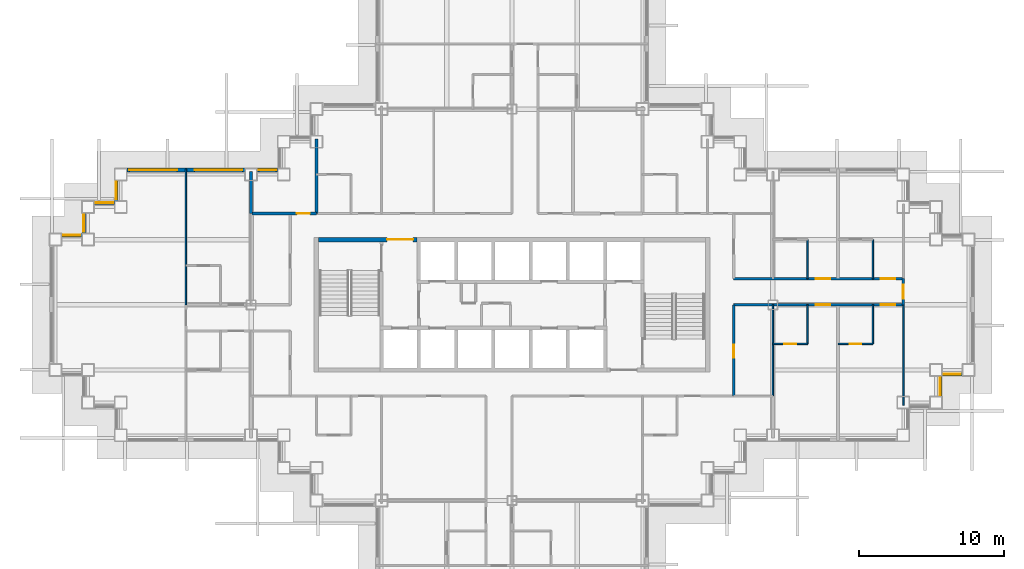
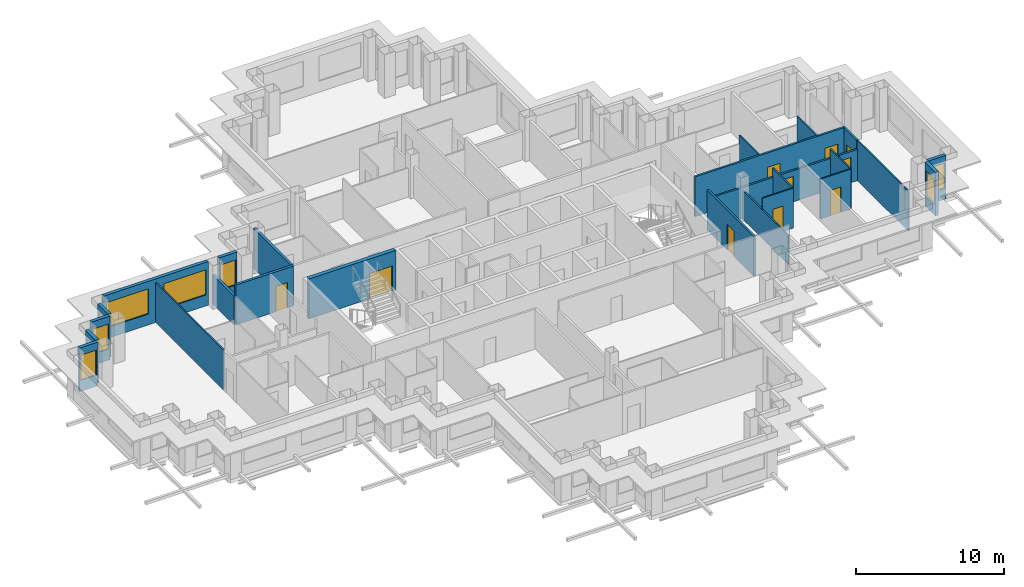
# One storey, part 8 of 17: 25 walls, 10 doors, 9 windows, 19 openings.
"""IFC4 building model written with IfcOpenShell, lengths in metres."""

from ifc_helpers import new_model, si_unit, direction, frame, frame_2d, origin, place, context, subcontext, project, spatial, rectangle, extrude, material, layer, layer_set, type_object, element, fill, save


model = new_model("IFC4")

# Units and contexts
model_context = context("Model", 3, precision=1e-05, world=origin(), true_north=direction((0.0, 1.0)))
body_context = subcontext(model_context, "Body", "Model", "MODEL_VIEW")
ifc_project = project(units=[si_unit("LENGTHUNIT", "METRE"), si_unit("AREAUNIT", "SQUARE_METRE"), si_unit("VOLUMEUNIT", "CUBIC_METRE"), si_unit("PLANEANGLEUNIT", "RADIAN"), si_unit("MASSUNIT", "GRAM", prefix="KILO")], contexts=[model_context])

# Site, building, storey
site_placement = place(None, origin())
site = spatial("IfcSite", under=ifc_project, at=site_placement, CompositionType="ELEMENT")
building_placement = place(site_placement, origin())
building = spatial("IfcBuilding", under=site, at=building_placement, Name="Caravel Reach Hotel and Residences", CompositionType="ELEMENT")
storey_placement = place(building_placement, frame((0.0, 0.0, 126.0)))
storey = spatial("IfcBuildingStorey", under=building, at=storey_placement, Name="L31", CompositionType="ELEMENT", Elevation=126.0)

# Wall, opening, door
ifc_material_1 = material(Name="Gypsum board on steel stud", Category="steel")
ifc_layer_1 = layer(ifc_material_1, 0.10009765625)
ifc_layer_set_1 = layer_set([ifc_layer_1], Name="Bathroom pod wall 100 mm")
wall_type_1 = type_object("IfcWallType", Name="Bathroom pod wall 100 mm", PredefinedType="PARTITIONING", material=ifc_layer_set_1)
wall_1_placement = place(storey_placement, frame((49.5, 24.300048828125, 0.0), z_axis=(0.0, 0.0, 1.0), x_axis=(1.0, 0.0, 0.0)))
wall_1 = element("IfcWall", 1, at=wall_1_placement, inside=storey, type_object=wall_type_1, Name="L31 wall w072", PredefinedType="PARTITIONING", context=body_context, shape_type="SweptSolid", body=[
    extrude(rectangle(XDim=2.39990234375, YDim=0.10009765625, at=frame_2d((1.199951171875, 0.0))), origin(), (0.0, 0.0, 1.0), 3.300048828125),
])
opening_1_placement = place(wall_1_placement, frame((0.800048828125, 0.0, 0.0)))
opening_1 = element("IfcOpeningElement", 2, at=opening_1_placement, cuts=wall_1, Name="Opening D31-021", PredefinedType="OPENING", context=body_context, shape_type="SweptSolid", body=[
    extrude(rectangle(XDim=0.800048828125, YDim=2.10009765625, at=frame_2d((0.39990234375, 1.050048828125))), frame((0.0, 0.06005859375, 0.0), z_axis=(0.0, -1.0, 0.0), x_axis=(1.0, 0.0, 0.0)), (0.0, 0.0, 1.0), 0.1201171875),
])
ifc_material_2 = material(Name="Timber and steel door leaf", Category="steel")
door_type_1 = type_object("IfcDoorType", Name="Bathroom door 800 x 2100", OperationType="SINGLE_SWING_LEFT", PredefinedType="DOOR", material=ifc_material_2)
door_1_placement = place(opening_1_placement, origin())
door_1 = element("IfcDoor", 3, at=door_1_placement, inside=storey, type_object=door_type_1, Name="door D31-021", OperationType="SINGLE_SWING_RIGHT", OverallHeight=2.10009765625, OverallWidth=0.800048828125, PredefinedType="DOOR", context=body_context, shape_type="SweptSolid", body=[
    extrude(rectangle(XDim=0.800048828125, YDim=2.10009765625, at=frame_2d((0.39990234375, 1.050048828125))), frame((0.0, 0.02490234375, 0.0), z_axis=(0.0, -1.0, 0.0), x_axis=(1.0, 0.0, 0.0)), (0.0, 0.0, 1.0), 0.050048828125),
])
fill(opening_1, door_1)

wall_2_placement = place(storey_placement, frame((54.0, 24.300048828125, 0.0), z_axis=(0.0, 0.0, 1.0), x_axis=(1.0, 0.0, 0.0)))
wall_2 = element("IfcWall", 4, at=wall_2_placement, inside=storey, type_object=wall_type_1, Name="L31 wall w073", PredefinedType="PARTITIONING", context=body_context, shape_type="SweptSolid", body=[
    extrude(rectangle(XDim=2.39990234375, YDim=0.10009765625, at=frame_2d((1.199951171875, 0.0))), origin(), (0.0, 0.0, 1.0), 3.300048828125),
])
opening_2_placement = place(wall_2_placement, frame((0.800048828125, 0.0, 0.0)))
opening_2 = element("IfcOpeningElement", 5, at=opening_2_placement, cuts=wall_2, Name="Opening D31-023", PredefinedType="OPENING", context=body_context, shape_type="SweptSolid", body=[
    extrude(rectangle(XDim=0.800048828125, YDim=2.10009765625, at=frame_2d((0.39990234375, 1.050048828125))), frame((0.0, 0.06005859375, 0.0), z_axis=(0.0, -1.0, 0.0), x_axis=(1.0, 0.0, 0.0)), (0.0, 0.0, 1.0), 0.1201171875),
])
door_2_placement = place(opening_2_placement, origin())
door_2 = element("IfcDoor", 6, at=door_2_placement, inside=storey, type_object=door_type_1, Name="door D31-023", OperationType="SINGLE_SWING_LEFT", OverallHeight=2.10009765625, OverallWidth=0.800048828125, PredefinedType="DOOR", context=body_context, shape_type="SweptSolid", body=[
    extrude(rectangle(XDim=0.800048828125, YDim=2.10009765625, at=frame_2d((0.39990234375, 1.050048828125))), frame((0.0, 0.02490234375, 0.0), z_axis=(0.0, -1.0, 0.0), x_axis=(1.0, 0.0, 0.0)), (0.0, 0.0, 1.0), 0.050048828125),
])
fill(opening_2, door_2)

# Walls
for number, where, z_axis, x_axis, name in (
    (7, (51.89990234375, 28.800048828125, 0.0), (0.0, 0.0, 1.0), (0.0, 1.0, 0.0), "L31 wall w092"),
    (8, (51.89990234375, 24.300048828125, 0.0), (0.0, 0.0, 1.0), (0.0, 1.0, 0.0), "L31 wall w093"),
    (9, (56.39990234375, 28.800048828125, 0.0), (0.0, 0.0, 1.0), (0.0, 1.0, 0.0), "L31 wall w094"),
    (10, (56.39990234375, 24.300048828125, 0.0), (0.0, 0.0, 1.0), (0.0, 1.0, 0.0), "L31 wall w095"),
):
    element("IfcWall", number, at=place(storey_placement, frame(where, z_axis=z_axis, x_axis=x_axis)), inside=storey, type_object=wall_type_1, Name=name, PredefinedType="PARTITIONING", context=body_context, shape_type="SweptSolid", body=[
        extrude(rectangle(XDim=2.699951171875, YDim=0.10009765625, at=frame_2d((1.35009765625, 0.0))), origin(), (0.0, 0.0, 1.0), 3.300048828125),
    ])

# Wall, opening, door
ifc_material_3 = material(Name="Autoclaved aerated block wall")
ifc_layer_2 = layer(ifc_material_3, 0.199951171875)
ifc_layer_set_2 = layer_set([ifc_layer_2], Name="Compartment wall 200 mm EI 120")
wall_type_2 = type_object("IfcWallType", Name="Compartment wall 200 mm EI 120", PredefinedType="PARTITIONING", material=ifc_layer_set_2)
wall_3_placement = place(storey_placement, frame((13.5, 33.300048828125, 0.0), z_axis=(0.0, 0.0, 1.0), x_axis=(1.0, 0.0, 0.0)))
wall_3 = element("IfcWall", 11, at=wall_3_placement, inside=storey, type_object=wall_type_2, Name="L31 wall w098", PredefinedType="PARTITIONING", context=body_context, shape_type="SweptSolid", body=[
    extrude(rectangle(XDim=4.5, YDim=0.199951171875, at=frame_2d((2.25, 0.0))), origin(), (0.0, 0.0, 1.0), 3.300048828125),
])
opening_3_placement = place(wall_3_placement, frame((3.14990234375, 0.0, 0.0)))
opening_3 = element("IfcOpeningElement", 12, at=opening_3_placement, cuts=wall_3, Name="Opening D31-042", PredefinedType="OPENING", context=body_context, shape_type="SweptSolid", body=[
    extrude(rectangle(XDim=0.89990234375, YDim=2.10009765625, at=frame_2d((0.449951171875, 1.050048828125))), frame((0.0, 0.10986328125, 0.0), z_axis=(0.0, -1.0, 0.0), x_axis=(1.0, 0.0, 0.0)), (0.0, 0.0, 1.0), 0.219970703125),
])
ifc_material_4 = material(Name="Steel fire door leaf", Category="steel")
door_type_2 = type_object("IfcDoorType", Name="Riser door 900 x 2100 EI 60", OperationType="SINGLE_SWING_LEFT", PredefinedType="DOOR", material=ifc_material_4)
door_3_placement = place(opening_3_placement, origin())
door_3 = element("IfcDoor", 13, at=door_3_placement, inside=storey, type_object=door_type_2, Name="door D31-042", OperationType="SINGLE_SWING_RIGHT", OverallHeight=2.10009765625, OverallWidth=0.89990234375, PredefinedType="DOOR", context=body_context, shape_type="SweptSolid", body=[
    extrude(rectangle(XDim=0.89990234375, YDim=2.10009765625, at=frame_2d((0.449951171875, 1.050048828125))), frame((0.0, 0.02490234375, 0.0), z_axis=(0.0, -1.0, 0.0), x_axis=(1.0, 0.0, 0.0)), (0.0, 0.0, 1.0), 0.050048828125),
])
fill(opening_3, door_3)

# Walls
wall_4_placement = place(storey_placement, frame((13.5, 33.300048828125, 0.0), z_axis=(0.0, 0.0, 1.0), x_axis=(0.0, 1.0, 0.0)))
element("IfcWall", 14, at=wall_4_placement, inside=storey, type_object=wall_type_2, Name="L31 wall w100", PredefinedType="PARTITIONING", context=body_context, shape_type="SweptSolid", body=[
    extrude(rectangle(XDim=2.889892578125, YDim=0.199951171875, at=frame_2d((1.44482421875, 0.0))), origin(), (0.0, 0.0, 1.0), 2.3798828125),
])
wall_5_placement = place(storey_placement, frame((18.0, 33.300048828125, 0.0), z_axis=(0.0, 0.0, 1.0), x_axis=(0.0, 1.0, 0.0)))
element("IfcWall", 15, at=wall_5_placement, inside=storey, type_object=wall_type_2, Name="L31 wall w101", PredefinedType="PARTITIONING", context=body_context, shape_type="SweptSolid", body=[
    extrude(rectangle(XDim=5.139892578125, YDim=0.199951171875, at=frame_2d((2.56982421875, 0.0))), origin(), (0.0, 0.0, 1.0), 3.300048828125),
])

# Wall, opening, door
ifc_material_5 = material(Name="Concrete C60", Category="concrete")
ifc_layer_3 = layer(ifc_material_5, 0.300048828125)
ifc_layer_set_3 = layer_set([ifc_layer_3], Name="Core wall 300 mm EI 120")
wall_type_3 = type_object("IfcWallType", Name="Core wall 300 mm EI 120", PredefinedType="SHEAR", material=ifc_layer_set_3)
wall_6_placement = place(storey_placement, frame((18.14990234375, 31.5, 0.0), z_axis=(0.0, 0.0, 1.0), x_axis=(1.0, 0.0, 0.0)))
wall_6 = element("IfcWall", 16, at=wall_6_placement, inside=storey, type_object=wall_type_3, Name="L31 core wall N1", PredefinedType="SHEAR", context=body_context, shape_type="SweptSolid", body=[
    extrude(rectangle(XDim=6.796630859375, YDim=0.300048828125, at=frame_2d((3.3984375, 0.0))), origin(), (0.0, 0.0, 1.0), 3.300048828125),
])
opening_4_placement = place(wall_6_placement, frame((4.735595703125, 0.0, 0.0)))
opening_4 = element("IfcOpeningElement", 17, at=opening_4_placement, cuts=wall_6, Name="Opening D31-014", PredefinedType="OPENING", context=body_context, shape_type="SweptSolid", body=[
    extrude(rectangle(XDim=1.800048828125, YDim=2.10009765625, at=frame_2d((0.89990234375, 1.050048828125))), frame((0.0, 0.159912109375, 0.0), z_axis=(0.0, -1.0, 0.0), x_axis=(1.0, 0.0, 0.0)), (0.0, 0.0, 1.0), 0.320068359375),
])
ifc_material_6 = material(Name="Steel fire door leaf", Category="steel")
door_type_3 = type_object("IfcDoorType", Name="Fire lobby door pair 1800 x 2100 EI 90", OperationType="DOUBLE_DOOR_SINGLE_SWING", PredefinedType="DOOR", material=ifc_material_6)
door_4_placement = place(opening_4_placement, origin())
door_4 = element("IfcDoor", 18, at=door_4_placement, inside=storey, type_object=door_type_3, Name="lobby N door pair to corridor", OperationType="DOUBLE_DOOR_SINGLE_SWING", OverallHeight=2.10009765625, OverallWidth=1.800048828125, PredefinedType="DOOR", context=body_context, shape_type="SweptSolid", body=[
    extrude(rectangle(XDim=1.800048828125, YDim=2.10009765625, at=frame_2d((0.89990234375, 1.050048828125))), frame((0.0, 0.02490234375, 0.0), z_axis=(0.0, -1.0, 0.0), x_axis=(1.0, 0.0, 0.0)), (0.0, 0.0, 1.0), 0.050048828125),
])
fill(opening_4, door_4)

# Wall, openings, doors
ifc_material_7 = material(Name="Gypsum board on steel stud, fire-rated", Category="steel")
ifc_layer_4 = layer(ifc_material_7, 0.14990234375)
ifc_layer_set_4 = layer_set([ifc_layer_4], Name="Corridor wall 150 mm EI 60")
wall_type_4 = type_object("IfcWallType", Name="Corridor wall 150 mm EI 60", PredefinedType="PARTITIONING", material=ifc_layer_set_4)
wall_7_placement = place(storey_placement, frame((46.800048828125, 27.0, 0.0), z_axis=(0.0, 0.0, 1.0), x_axis=(1.0, 0.0, 0.0)))
wall_7 = element("IfcWall", 19, at=wall_7_placement, inside=storey, type_object=wall_type_4, Name="L31 wall w010", PredefinedType="PARTITIONING", context=body_context, shape_type="SweptSolid", body=[
    extrude(rectangle(XDim=11.699951171875, YDim=0.14990234375, at=frame_2d((5.85009765625, 0.0))), origin(), (0.0, 0.0, 1.0), 2.580078125),
])
opening_5_placement = place(wall_7_placement, frame((5.64990234375, 0.0, 0.0)))
opening_5 = element("IfcOpeningElement", 20, at=opening_5_placement, cuts=wall_7, Name="Opening D31-020", PredefinedType="OPENING", context=body_context, shape_type="SweptSolid", body=[
    extrude(rectangle(XDim=1.0, YDim=2.10009765625, at=frame_2d((0.5, 1.050048828125))), frame((0.0, 0.0849609375, 0.0), z_axis=(0.0, -1.0, 0.0), x_axis=(1.0, 0.0, 0.0)), (0.0, 0.0, 1.0), 0.169921875),
])
opening_6_placement = place(wall_7_placement, frame((10.14990234375, 0.0, 0.0)))
opening_6 = element("IfcOpeningElement", 21, at=opening_6_placement, cuts=wall_7, Name="Opening D31-022", PredefinedType="OPENING", context=body_context, shape_type="SweptSolid", body=[
    extrude(rectangle(XDim=1.0, YDim=2.10009765625, at=frame_2d((0.5, 1.050048828125))), frame((0.0, 0.0849609375, 0.0), z_axis=(0.0, -1.0, 0.0), x_axis=(1.0, 0.0, 0.0)), (0.0, 0.0, 1.0), 0.169921875),
])
ifc_material_8 = material(Name="Steel fire door leaf", Category="steel")
door_type_4 = type_object("IfcDoorType", Name="Guest room door 1000 x 2100 EI 30", OperationType="SINGLE_SWING_LEFT", PredefinedType="DOOR", material=ifc_material_8)
door_5_placement = place(opening_5_placement, origin())
door_5 = element("IfcDoor", 22, at=door_5_placement, inside=storey, type_object=door_type_4, Name="door D31-020", OperationType="SINGLE_SWING_RIGHT", OverallHeight=2.10009765625, OverallWidth=1.0, PredefinedType="DOOR", context=body_context, shape_type="SweptSolid", body=[
    extrude(rectangle(XDim=1.0, YDim=2.10009765625, at=frame_2d((0.5, 1.050048828125))), frame((0.0, 0.02490234375, 0.0), z_axis=(0.0, -1.0, 0.0), x_axis=(1.0, 0.0, 0.0)), (0.0, 0.0, 1.0), 0.050048828125),
])
fill(opening_5, door_5)
door_6_placement = place(opening_6_placement, origin())
door_6 = element("IfcDoor", 23, at=door_6_placement, inside=storey, type_object=door_type_4, Name="door D31-022", OperationType="SINGLE_SWING_RIGHT", OverallHeight=2.10009765625, OverallWidth=1.0, PredefinedType="DOOR", context=body_context, shape_type="SweptSolid", body=[
    extrude(rectangle(XDim=1.0, YDim=2.10009765625, at=frame_2d((0.5, 1.050048828125))), frame((0.0, 0.02490234375, 0.0), z_axis=(0.0, -1.0, 0.0), x_axis=(1.0, 0.0, 0.0)), (0.0, 0.0, 1.0), 0.050048828125),
])
fill(opening_6, door_6)

wall_8_placement = place(storey_placement, frame((46.800048828125, 28.800048828125, 0.0), z_axis=(0.0, 0.0, 1.0), x_axis=(1.0, 0.0, 0.0)))
wall_8 = element("IfcWall", 24, at=wall_8_placement, inside=storey, type_object=wall_type_4, Name="L31 wall w014", PredefinedType="PARTITIONING", context=body_context, shape_type="SweptSolid", body=[
    extrude(rectangle(XDim=11.699951171875, YDim=0.14990234375, at=frame_2d((5.85009765625, 0.0))), origin(), (0.0, 0.0, 1.0), 3.300048828125),
])
opening_7_placement = place(wall_8_placement, frame((5.64990234375, 0.0, 0.0)))
opening_7 = element("IfcOpeningElement", 25, at=opening_7_placement, cuts=wall_8, Name="Opening D31-024", PredefinedType="OPENING", context=body_context, shape_type="SweptSolid", body=[
    extrude(rectangle(XDim=1.0, YDim=2.10009765625, at=frame_2d((0.5, 1.050048828125))), frame((0.0, 0.0849609375, 0.0), z_axis=(0.0, -1.0, 0.0), x_axis=(1.0, 0.0, 0.0)), (0.0, 0.0, 1.0), 0.169921875),
])
opening_8_placement = place(wall_8_placement, frame((10.14990234375, 0.0, 0.0)))
opening_8 = element("IfcOpeningElement", 26, at=opening_8_placement, cuts=wall_8, Name="Opening D31-026", PredefinedType="OPENING", context=body_context, shape_type="SweptSolid", body=[
    extrude(rectangle(XDim=1.0, YDim=2.10009765625, at=frame_2d((0.5, 1.050048828125))), frame((0.0, 0.0849609375, 0.0), z_axis=(0.0, -1.0, 0.0), x_axis=(1.0, 0.0, 0.0)), (0.0, 0.0, 1.0), 0.169921875),
])
door_7_placement = place(opening_7_placement, origin())
door_7 = element("IfcDoor", 27, at=door_7_placement, inside=storey, type_object=door_type_4, Name="door D31-024", OperationType="SINGLE_SWING_RIGHT", OverallHeight=2.10009765625, OverallWidth=1.0, PredefinedType="DOOR", context=body_context, shape_type="SweptSolid", body=[
    extrude(rectangle(XDim=1.0, YDim=2.10009765625, at=frame_2d((0.5, 1.050048828125))), frame((0.0, 0.02490234375, 0.0), z_axis=(0.0, -1.0, 0.0), x_axis=(1.0, 0.0, 0.0)), (0.0, 0.0, 1.0), 0.050048828125),
])
fill(opening_7, door_7)
door_8_placement = place(opening_8_placement, origin())
door_8 = element("IfcDoor", 28, at=door_8_placement, inside=storey, type_object=door_type_4, Name="door D31-026", OperationType="SINGLE_SWING_RIGHT", OverallHeight=2.10009765625, OverallWidth=1.0, PredefinedType="DOOR", context=body_context, shape_type="SweptSolid", body=[
    extrude(rectangle(XDim=1.0, YDim=2.10009765625, at=frame_2d((0.5, 1.050048828125))), frame((0.0, 0.02490234375, 0.0), z_axis=(0.0, -1.0, 0.0), x_axis=(1.0, 0.0, 0.0)), (0.0, 0.0, 1.0), 0.050048828125),
])
fill(opening_8, door_8)

# Wall, opening, door
wall_9_placement = place(storey_placement, frame((46.800048828125, 20.699951171875, 0.0), z_axis=(0.0, 0.0, 1.0), x_axis=(0.0, 1.0, 0.0)))
wall_9 = element("IfcWall", 29, at=wall_9_placement, inside=storey, type_object=wall_type_4, Name="L31 wall w034", PredefinedType="PARTITIONING", context=body_context, shape_type="SweptSolid", body=[
    extrude(rectangle(XDim=6.300048828125, YDim=0.14990234375, at=frame_2d((3.14990234375, 0.0))), origin(), (0.0, 0.0, 1.0), 3.300048828125),
])
opening_9_placement = place(wall_9_placement, frame((2.64990234375, 0.0, 0.0)))
opening_9 = element("IfcOpeningElement", 30, at=opening_9_placement, cuts=wall_9, Name="Opening D31-058", PredefinedType="OPENING", context=body_context, shape_type="SweptSolid", body=[
    extrude(rectangle(XDim=0.89990234375, YDim=2.10009765625, at=frame_2d((0.449951171875, 1.050048828125))), frame((0.0, 0.0849609375, 0.0), z_axis=(0.0, -1.0, 0.0), x_axis=(1.0, 0.0, 0.0)), (0.0, 0.0, 1.0), 0.169921875),
])
ifc_material_9 = material(Name="Timber and steel door leaf", Category="steel")
door_type_5 = type_object("IfcDoorType", Name="Door 900 x 2100 timber", OperationType="SINGLE_SWING_LEFT", PredefinedType="DOOR", material=ifc_material_9)
door_9_placement = place(opening_9_placement, origin())
door_9 = element("IfcDoor", 31, at=door_9_placement, inside=storey, type_object=door_type_5, Name="door D31-058", OperationType="SINGLE_SWING_RIGHT", OverallHeight=2.10009765625, OverallWidth=0.89990234375, PredefinedType="DOOR", context=body_context, shape_type="SweptSolid", body=[
    extrude(rectangle(XDim=0.89990234375, YDim=2.10009765625, at=frame_2d((0.449951171875, 1.050048828125))), frame((0.0, 0.02490234375, 0.0), z_axis=(0.0, -1.0, 0.0), x_axis=(1.0, 0.0, 0.0)), (0.0, 0.0, 1.0), 0.050048828125),
])
fill(opening_9, door_9)

wall_10_placement = place(storey_placement, frame((58.5, 27.0, 0.0), z_axis=(0.0, 0.0, 1.0), x_axis=(0.0, 1.0, 0.0)))
wall_10 = element("IfcWall", 32, at=wall_10_placement, inside=storey, type_object=wall_type_4, Name="L31 wall w035", PredefinedType="PARTITIONING", context=body_context, shape_type="SweptSolid", body=[
    extrude(rectangle(XDim=1.800048828125, YDim=0.14990234375, at=frame_2d((0.89990234375, 0.0))), origin(), (0.0, 0.0, 1.0), 3.300048828125),
])
opening_10_placement = place(wall_10_placement, frame((0.39990234375, 0.0, 0.0)))
opening_10 = element("IfcOpeningElement", 33, at=opening_10_placement, cuts=wall_10, Name="Opening D31-037", PredefinedType="OPENING", context=body_context, shape_type="SweptSolid", body=[
    extrude(rectangle(XDim=1.0, YDim=2.10009765625, at=frame_2d((0.5, 1.050048828125))), frame((0.0, 0.0849609375, 0.0), z_axis=(0.0, -1.0, 0.0), x_axis=(1.0, 0.0, 0.0)), (0.0, 0.0, 1.0), 0.169921875),
])
door_10_placement = place(opening_10_placement, origin())
door_10 = element("IfcDoor", 34, at=door_10_placement, inside=storey, type_object=door_type_4, Name="door D31-037", OperationType="SINGLE_SWING_RIGHT", OverallHeight=2.10009765625, OverallWidth=1.0, PredefinedType="DOOR", context=body_context, shape_type="SweptSolid", body=[
    extrude(rectangle(XDim=1.0, YDim=2.10009765625, at=frame_2d((0.5, 1.050048828125))), frame((0.0, 0.02490234375, 0.0), z_axis=(0.0, -1.0, 0.0), x_axis=(1.0, 0.0, 0.0)), (0.0, 0.0, 1.0), 0.050048828125),
])
fill(opening_10, door_10)

# Wall, opening, window
ifc_material_10 = material(Name="Insulated rainscreen wall, aluminium cladding", Category="aluminium")
ifc_layer_5 = layer(ifc_material_10, 0.25)
ifc_layer_set_5 = layer_set([ifc_layer_5], Name="EW1 Tower rainscreen wall")
wall_type_5 = type_object("IfcWallType", Name="EW1 Tower rainscreen wall", PredefinedType="SOLIDWALL", material=ifc_layer_set_5)
wall_11_placement = place(storey_placement, frame((61.050048828125, 20.675048828125, 0.0), z_axis=(0.0, 0.0, 1.0), x_axis=(0.0, 1.0, 0.0)))
wall_11 = element("IfcWall", 35, at=wall_11_placement, inside=storey, type_object=wall_type_5, Name="External wall L31 E18.1", PredefinedType="SOLIDWALL", context=body_context, shape_type="SweptSolid", body=[
    extrude(rectangle(XDim=1.39990234375, YDim=0.25, at=frame_2d((0.699951171875, 0.0))), origin(), (0.0, 0.0, 1.0), 3.60009765625),
])
opening_11_placement = place(wall_11_placement, frame((0.10009765625, 0.0, 0.89990234375)))
opening_11 = element("IfcOpeningElement", 36, at=opening_11_placement, cuts=wall_11, Name="Opening WN9", PredefinedType="OPENING", context=body_context, shape_type="SweptSolid", body=[
    extrude(rectangle(XDim=1.199951171875, YDim=2.080078125, at=frame_2d((0.60009765625, 1.0400390625))), frame((0.0, 0.135009765625, 0.0), z_axis=(0.0, -1.0, 0.0), x_axis=(1.0, 0.0, 0.0)), (0.0, 0.0, 1.0), 0.27001953125),
])
ifc_material_11 = material(Name="Dark low-e glazing in black aluminium frame", Category="aluminium")
window_type_1 = type_object("IfcWindowType", Name="Hotel suite corner window 1200 x 2080", PartitioningType="SINGLE_PANEL", PredefinedType="WINDOW", material=ifc_material_11)
window_1_placement = place(opening_11_placement, origin())
window_1 = element("IfcWindow", 37, at=window_1_placement, inside=storey, type_object=window_type_1, Name="Window L31 E18.1.1", OverallHeight=2.080078125, OverallWidth=1.199951171875, PartitioningType="SINGLE_PANEL", PredefinedType="WINDOW", context=body_context, shape_type="SweptSolid", body=[
    extrude(rectangle(XDim=1.199951171875, YDim=2.080078125, at=frame_2d((0.60009765625, 1.0400390625))), frame((0.0, 0.030029296875, 0.0), z_axis=(0.0, -1.0, 0.0), x_axis=(1.0, 0.0, 0.0)), (0.0, 0.0, 1.0), 0.06005859375),
])
fill(opening_11, window_1)

wall_12_placement = place(storey_placement, frame((61.175048828125, 22.199951171875, 0.0), z_axis=(0.0, 0.0, 1.0), x_axis=(1.0, 0.0, 0.0)))
wall_12 = element("IfcWall", 38, at=wall_12_placement, inside=storey, type_object=wall_type_5, Name="External wall L31 S19.1", PredefinedType="SOLIDWALL", context=body_context, shape_type="SweptSolid", body=[
    extrude(rectangle(XDim=1.39990234375, YDim=0.25, at=frame_2d((0.699951171875, 0.0))), origin(), (0.0, 0.0, 1.0), 3.60009765625),
])
opening_12_placement = place(wall_12_placement, frame((0.10009765625, 0.0, 0.89990234375)))
opening_12 = element("IfcOpeningElement", 39, at=opening_12_placement, cuts=wall_12, Name="Opening WN9", PredefinedType="OPENING", context=body_context, shape_type="SweptSolid", body=[
    extrude(rectangle(XDim=1.199951171875, YDim=2.080078125, at=frame_2d((0.60009765625, 1.0400390625))), frame((0.0, 0.135009765625, 0.0), z_axis=(0.0, -1.0, 0.0), x_axis=(1.0, 0.0, 0.0)), (0.0, 0.0, 1.0), 0.27001953125),
])
window_2_placement = place(opening_12_placement, origin())
window_2 = element("IfcWindow", 40, at=window_2_placement, inside=storey, type_object=window_type_1, Name="Window L31 S19.1.1", OverallHeight=2.080078125, OverallWidth=1.199951171875, PartitioningType="SINGLE_PANEL", PredefinedType="WINDOW", context=body_context, shape_type="SweptSolid", body=[
    extrude(rectangle(XDim=1.199951171875, YDim=2.080078125, at=frame_2d((0.60009765625, 1.0400390625))), frame((0.0, 0.030029296875, 0.0), z_axis=(0.0, -1.0, 0.0), x_axis=(1.0, 0.0, 0.0)), (0.0, 0.0, 1.0), 0.06005859375),
])
fill(opening_12, window_2)

wall_13_placement = place(storey_placement, frame((15.324951171875, 36.300048828125, 0.0), z_axis=(0.0, 0.0, 1.0), x_axis=(-1.0, 0.0, 0.0)))
wall_13 = element("IfcWall", 41, at=wall_13_placement, inside=storey, type_object=wall_type_5, Name="External wall L31 N45.1", PredefinedType="SOLIDWALL", context=body_context, shape_type="SweptSolid", body=[
    extrude(rectangle(XDim=1.39990234375, YDim=0.25, at=frame_2d((0.699951171875, 0.0))), origin(), (0.0, 0.0, 1.0), 3.60009765625),
])
opening_13_placement = place(wall_13_placement, frame((0.10009765625, 0.0, 0.89990234375)))
opening_13 = element("IfcOpeningElement", 42, at=opening_13_placement, cuts=wall_13, Name="Opening WN9", PredefinedType="OPENING", context=body_context, shape_type="SweptSolid", body=[
    extrude(rectangle(XDim=1.199951171875, YDim=2.080078125, at=frame_2d((0.60009765625, 1.0400390625))), frame((0.0, 0.135009765625, 0.0), z_axis=(0.0, -1.0, 0.0), x_axis=(1.0, 0.0, 0.0)), (0.0, 0.0, 1.0), 0.27001953125),
])
window_3_placement = place(opening_13_placement, origin())
window_3 = element("IfcWindow", 43, at=window_3_placement, inside=storey, type_object=window_type_1, Name="Window L31 N45.1.1", OverallHeight=2.080078125, OverallWidth=1.199951171875, PartitioningType="SINGLE_PANEL", PredefinedType="WINDOW", context=body_context, shape_type="SweptSolid", body=[
    extrude(rectangle(XDim=1.199951171875, YDim=2.080078125, at=frame_2d((0.60009765625, 1.0400390625))), frame((0.0, 0.030029296875, 0.0), z_axis=(0.0, -1.0, 0.0), x_axis=(1.0, 0.0, 0.0)), (0.0, 0.0, 1.0), 0.06005859375),
])
fill(opening_13, window_3)

# Wall, openings, windows
wall_14_placement = place(storey_placement, frame((13.074951171875, 36.300048828125, 0.0), z_axis=(0.0, 0.0, 1.0), x_axis=(-1.0, 0.0, 0.0)))
wall_14 = element("IfcWall", 44, at=wall_14_placement, inside=storey, type_object=wall_type_5, Name="External wall L31 N45.2", PredefinedType="SOLIDWALL", context=body_context, shape_type="SweptSolid", body=[
    extrude(rectangle(XDim=8.14990234375, YDim=0.25, at=frame_2d((4.074951171875, 0.0))), origin(), (0.0, 0.0, 1.0), 3.60009765625),
])
opening_14_placement = place(wall_14_placement, frame((0.175048828125, 0.0, 0.89990234375)))
opening_14 = element("IfcOpeningElement", 45, at=opening_14_placement, cuts=wall_14, Name="Opening WN4", PredefinedType="OPENING", context=body_context, shape_type="SweptSolid", body=[
    extrude(rectangle(XDim=3.300048828125, YDim=2.080078125, at=frame_2d((1.64990234375, 1.0400390625))), frame((0.0, 0.135009765625, 0.0), z_axis=(0.0, -1.0, 0.0), x_axis=(1.0, 0.0, 0.0)), (0.0, 0.0, 1.0), 0.27001953125),
])
opening_15_placement = place(wall_14_placement, frame((4.675048828125, 0.0, 0.89990234375)))
opening_15 = element("IfcOpeningElement", 46, at=opening_15_placement, cuts=wall_14, Name="Opening WN4", PredefinedType="OPENING", context=body_context, shape_type="SweptSolid", body=[
    extrude(rectangle(XDim=3.300048828125, YDim=2.080078125, at=frame_2d((1.64990234375, 1.0400390625))), frame((0.0, 0.135009765625, 0.0), z_axis=(0.0, -1.0, 0.0), x_axis=(1.0, 0.0, 0.0)), (0.0, 0.0, 1.0), 0.27001953125),
])
ifc_material_12 = material(Name="Dark low-e glazing in black aluminium frame", Category="aluminium")
window_type_2 = type_object("IfcWindowType", Name="Hotel guest room window 3300 x 2080", PartitioningType="SINGLE_PANEL", PredefinedType="WINDOW", material=ifc_material_12)
window_4_placement = place(opening_14_placement, origin())
window_4 = element("IfcWindow", 47, at=window_4_placement, inside=storey, type_object=window_type_2, Name="Window L31 N45.2.1", OverallHeight=2.080078125, OverallWidth=3.300048828125, PartitioningType="SINGLE_PANEL", PredefinedType="WINDOW", context=body_context, shape_type="SweptSolid", body=[
    extrude(rectangle(XDim=3.300048828125, YDim=2.080078125, at=frame_2d((1.64990234375, 1.0400390625))), frame((0.0, 0.030029296875, 0.0), z_axis=(0.0, -1.0, 0.0), x_axis=(1.0, 0.0, 0.0)), (0.0, 0.0, 1.0), 0.06005859375),
])
fill(opening_14, window_4)
window_5_placement = place(opening_15_placement, origin())
window_5 = element("IfcWindow", 48, at=window_5_placement, inside=storey, type_object=window_type_2, Name="Window L31 N45.2.2", OverallHeight=2.080078125, OverallWidth=3.300048828125, PartitioningType="SINGLE_PANEL", PredefinedType="WINDOW", context=body_context, shape_type="SweptSolid", body=[
    extrude(rectangle(XDim=3.300048828125, YDim=2.080078125, at=frame_2d((1.64990234375, 1.0400390625))), frame((0.0, 0.030029296875, 0.0), z_axis=(0.0, -1.0, 0.0), x_axis=(1.0, 0.0, 0.0)), (0.0, 0.0, 1.0), 0.06005859375),
])
fill(opening_15, window_5)

# Wall, opening, window
wall_15_placement = place(storey_placement, frame((4.199951171875, 35.574951171875, 0.0), z_axis=(0.0, 0.0, 1.0), x_axis=(0.0, -1.0, 0.0)))
wall_15 = element("IfcWall", 49, at=wall_15_placement, inside=storey, type_object=wall_type_5, Name="External wall L31 W46.1", PredefinedType="SOLIDWALL", context=body_context, shape_type="SweptSolid", body=[
    extrude(rectangle(XDim=1.39990234375, YDim=0.25, at=frame_2d((0.699951171875, 0.0))), origin(), (0.0, 0.0, 1.0), 3.60009765625),
])
opening_16_placement = place(wall_15_placement, frame((0.10009765625, 0.0, 0.89990234375)))
opening_16 = element("IfcOpeningElement", 50, at=opening_16_placement, cuts=wall_15, Name="Opening WN9", PredefinedType="OPENING", context=body_context, shape_type="SweptSolid", body=[
    extrude(rectangle(XDim=1.199951171875, YDim=2.080078125, at=frame_2d((0.60009765625, 1.0400390625))), frame((0.0, 0.135009765625, 0.0), z_axis=(0.0, -1.0, 0.0), x_axis=(1.0, 0.0, 0.0)), (0.0, 0.0, 1.0), 0.27001953125),
])
window_6_placement = place(opening_16_placement, origin())
window_6 = element("IfcWindow", 51, at=window_6_placement, inside=storey, type_object=window_type_1, Name="Window L31 W46.1.1", OverallHeight=2.080078125, OverallWidth=1.199951171875, PartitioningType="SINGLE_PANEL", PredefinedType="WINDOW", context=body_context, shape_type="SweptSolid", body=[
    extrude(rectangle(XDim=1.199951171875, YDim=2.080078125, at=frame_2d((0.60009765625, 1.0400390625))), frame((0.0, 0.030029296875, 0.0), z_axis=(0.0, -1.0, 0.0), x_axis=(1.0, 0.0, 0.0)), (0.0, 0.0, 1.0), 0.06005859375),
])
fill(opening_16, window_6)

wall_16_placement = place(storey_placement, frame((4.074951171875, 34.050048828125, 0.0), z_axis=(0.0, 0.0, 1.0), x_axis=(-1.0, 0.0, 0.0)))
wall_16 = element("IfcWall", 52, at=wall_16_placement, inside=storey, type_object=wall_type_5, Name="External wall L31 N47.1", PredefinedType="SOLIDWALL", context=body_context, shape_type="SweptSolid", body=[
    extrude(rectangle(XDim=1.39990234375, YDim=0.25, at=frame_2d((0.699951171875, 0.0))), origin(), (0.0, 0.0, 1.0), 3.60009765625),
])
opening_17_placement = place(wall_16_placement, frame((0.10009765625, 0.0, 0.89990234375)))
opening_17 = element("IfcOpeningElement", 53, at=opening_17_placement, cuts=wall_16, Name="Opening WN9", PredefinedType="OPENING", context=body_context, shape_type="SweptSolid", body=[
    extrude(rectangle(XDim=1.199951171875, YDim=2.080078125, at=frame_2d((0.60009765625, 1.0400390625))), frame((0.0, 0.135009765625, 0.0), z_axis=(0.0, -1.0, 0.0), x_axis=(1.0, 0.0, 0.0)), (0.0, 0.0, 1.0), 0.27001953125),
])
window_7_placement = place(opening_17_placement, origin())
window_7 = element("IfcWindow", 54, at=window_7_placement, inside=storey, type_object=window_type_1, Name="Window L31 N47.1.1", OverallHeight=2.080078125, OverallWidth=1.199951171875, PartitioningType="SINGLE_PANEL", PredefinedType="WINDOW", context=body_context, shape_type="SweptSolid", body=[
    extrude(rectangle(XDim=1.199951171875, YDim=2.080078125, at=frame_2d((0.60009765625, 1.0400390625))), frame((0.0, 0.030029296875, 0.0), z_axis=(0.0, -1.0, 0.0), x_axis=(1.0, 0.0, 0.0)), (0.0, 0.0, 1.0), 0.06005859375),
])
fill(opening_17, window_7)

wall_17_placement = place(storey_placement, frame((1.949951171875, 33.324951171875, 0.0), z_axis=(0.0, 0.0, 1.0), x_axis=(0.0, -1.0, 0.0)))
wall_17 = element("IfcWall", 55, at=wall_17_placement, inside=storey, type_object=wall_type_5, Name="External wall L31 W48.1", PredefinedType="SOLIDWALL", context=body_context, shape_type="SweptSolid", body=[
    extrude(rectangle(XDim=1.39990234375, YDim=0.25, at=frame_2d((0.699951171875, 0.0))), origin(), (0.0, 0.0, 1.0), 3.60009765625),
])
opening_18_placement = place(wall_17_placement, frame((0.10009765625, 0.0, 0.89990234375)))
opening_18 = element("IfcOpeningElement", 56, at=opening_18_placement, cuts=wall_17, Name="Opening WN9", PredefinedType="OPENING", context=body_context, shape_type="SweptSolid", body=[
    extrude(rectangle(XDim=1.199951171875, YDim=2.080078125, at=frame_2d((0.60009765625, 1.0400390625))), frame((0.0, 0.135009765625, 0.0), z_axis=(0.0, -1.0, 0.0), x_axis=(1.0, 0.0, 0.0)), (0.0, 0.0, 1.0), 0.27001953125),
])
window_8_placement = place(opening_18_placement, origin())
window_8 = element("IfcWindow", 57, at=window_8_placement, inside=storey, type_object=window_type_1, Name="Window L31 W48.1.1", OverallHeight=2.080078125, OverallWidth=1.199951171875, PartitioningType="SINGLE_PANEL", PredefinedType="WINDOW", context=body_context, shape_type="SweptSolid", body=[
    extrude(rectangle(XDim=1.199951171875, YDim=2.080078125, at=frame_2d((0.60009765625, 1.0400390625))), frame((0.0, 0.030029296875, 0.0), z_axis=(0.0, -1.0, 0.0), x_axis=(1.0, 0.0, 0.0)), (0.0, 0.0, 1.0), 0.06005859375),
])
fill(opening_18, window_8)

wall_18_placement = place(storey_placement, frame((1.824951171875, 31.800048828125, 0.0), z_axis=(0.0, 0.0, 1.0), x_axis=(-1.0, 0.0, 0.0)))
wall_18 = element("IfcWall", 58, at=wall_18_placement, inside=storey, type_object=wall_type_5, Name="External wall L31 N49.1", PredefinedType="SOLIDWALL", context=body_context, shape_type="SweptSolid", body=[
    extrude(rectangle(XDim=1.39990234375, YDim=0.25, at=frame_2d((0.699951171875, 0.0))), origin(), (0.0, 0.0, 1.0), 3.60009765625),
])
opening_19_placement = place(wall_18_placement, frame((0.10009765625, 0.0, 0.89990234375)))
opening_19 = element("IfcOpeningElement", 59, at=opening_19_placement, cuts=wall_18, Name="Opening WN9", PredefinedType="OPENING", context=body_context, shape_type="SweptSolid", body=[
    extrude(rectangle(XDim=1.199951171875, YDim=2.080078125, at=frame_2d((0.60009765625, 1.0400390625))), frame((0.0, 0.135009765625, 0.0), z_axis=(0.0, -1.0, 0.0), x_axis=(1.0, 0.0, 0.0)), (0.0, 0.0, 1.0), 0.27001953125),
])
window_9_placement = place(opening_19_placement, origin())
window_9 = element("IfcWindow", 60, at=window_9_placement, inside=storey, type_object=window_type_1, Name="Window L31 N49.1.1", OverallHeight=2.080078125, OverallWidth=1.199951171875, PartitioningType="SINGLE_PANEL", PredefinedType="WINDOW", context=body_context, shape_type="SweptSolid", body=[
    extrude(rectangle(XDim=1.199951171875, YDim=2.080078125, at=frame_2d((0.60009765625, 1.0400390625))), frame((0.0, 0.030029296875, 0.0), z_axis=(0.0, -1.0, 0.0), x_axis=(1.0, 0.0, 0.0)), (0.0, 0.0, 1.0), 0.06005859375),
])
fill(opening_19, window_9)

# Walls
ifc_material_13 = material(Name="Gypsum board on steel stud", Category="steel")
ifc_layer_6 = layer(ifc_material_13, 0.10009765625)
ifc_layer_set_6 = layer_set([ifc_layer_6], Name="Partition 100 mm")
wall_type_6 = type_object("IfcWallType", Name="Partition 100 mm", PredefinedType="PARTITIONING", material=ifc_layer_set_6)
wall_19_placement = place(storey_placement, frame((49.5, 20.699951171875, 0.0), z_axis=(0.0, 0.0, 1.0), x_axis=(0.0, 1.0, 0.0)))
element("IfcWall", 61, at=wall_19_placement, inside=storey, type_object=wall_type_6, Name="L31 wall w058", PredefinedType="PARTITIONING", context=body_context, shape_type="SweptSolid", body=[
    extrude(rectangle(XDim=6.300048828125, YDim=0.10009765625, at=frame_2d((3.14990234375, 0.0))), origin(), (0.0, 0.0, 1.0), 2.3798828125),
])
wall_20_placement = place(storey_placement, frame((58.5, 20.06005859375, 0.0), z_axis=(0.0, 0.0, 1.0), x_axis=(0.0, 1.0, 0.0)))
element("IfcWall", 62, at=wall_20_placement, inside=storey, type_object=wall_type_6, Name="L31 wall w060", PredefinedType="PARTITIONING", context=body_context, shape_type="SweptSolid", body=[
    extrude(rectangle(XDim=6.93994140625, YDim=0.10009765625, at=frame_2d((3.469970703125, 0.0))), origin(), (0.0, 0.0, 1.0), 3.300048828125),
])
wall_21_placement = place(storey_placement, frame((9.0, 27.0, 0.0), z_axis=(0.0, 0.0, 1.0), x_axis=(0.0, 1.0, 0.0)))
element("IfcWall", 63, at=wall_21_placement, inside=storey, type_object=wall_type_6, Name="L31 wall w061", PredefinedType="PARTITIONING", context=body_context, shape_type="SweptSolid", body=[
    extrude(rectangle(XDim=9.364990234375, YDim=0.10009765625, at=frame_2d((4.6826171875, 0.0))), origin(), (0.0, 0.0, 1.0), 3.300048828125),
])

save(model, "model.ifc")
